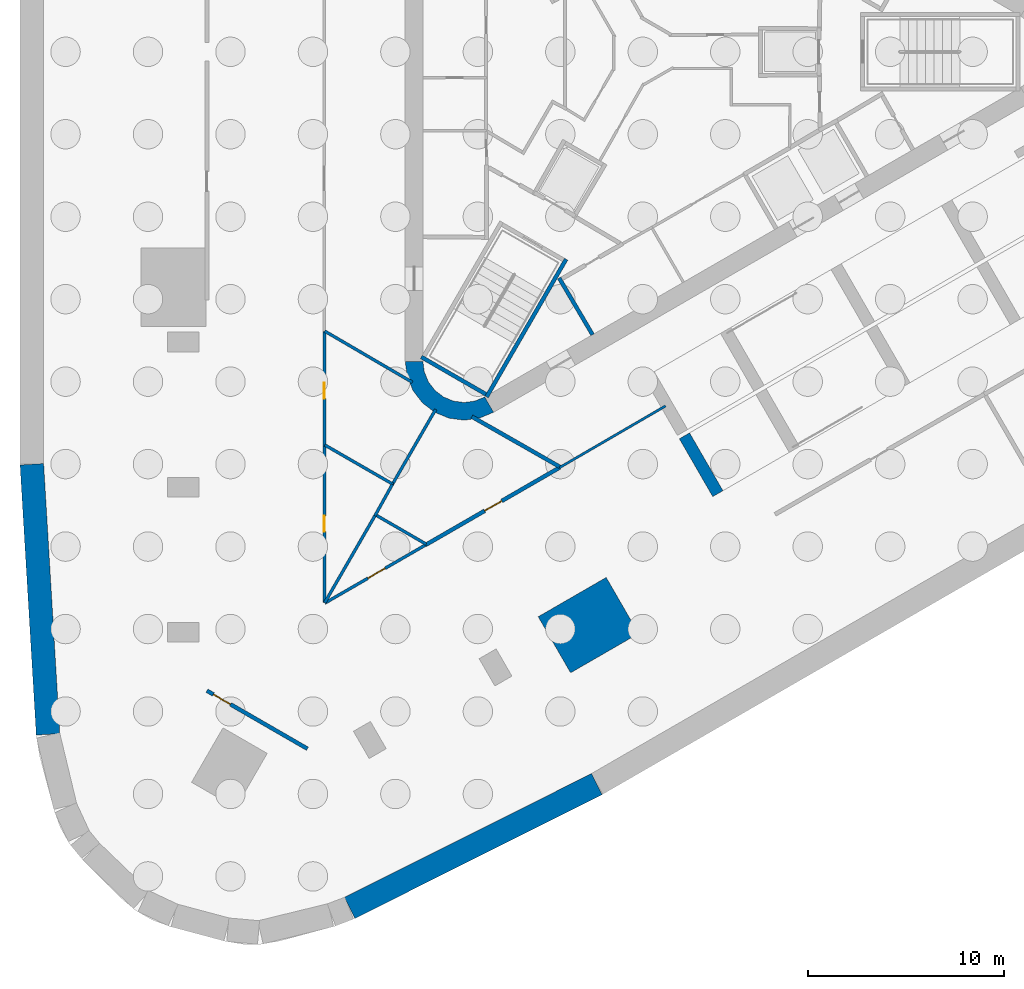
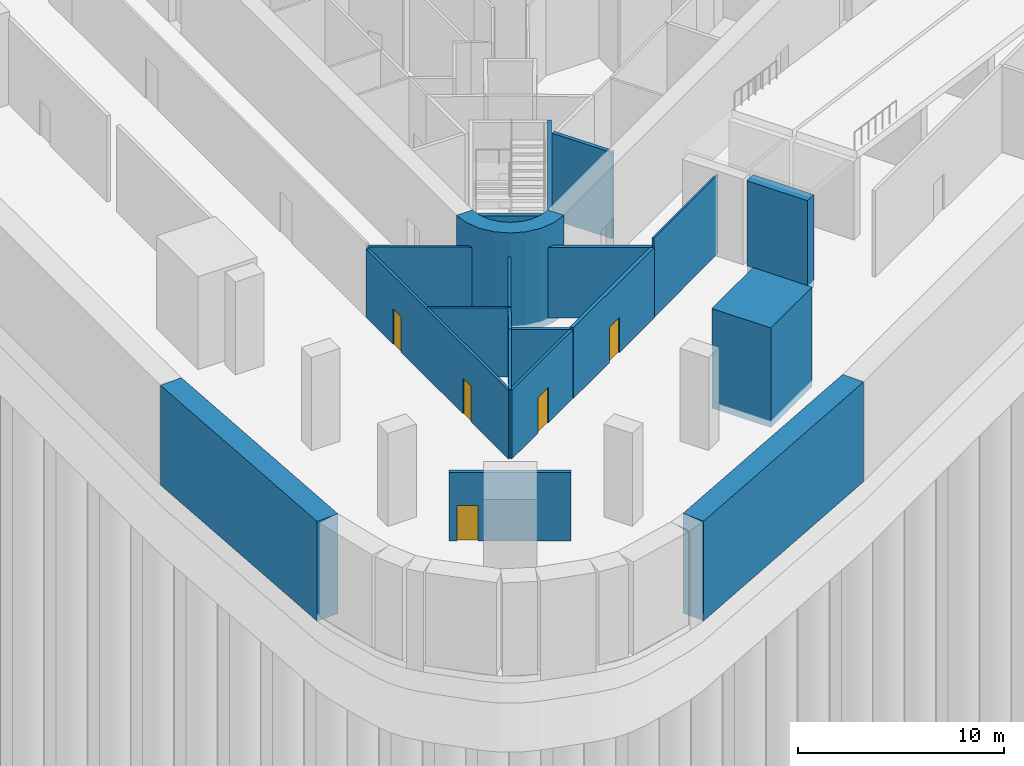
# One storey, part 3 of 13: 20 walls, 5 doors, 5 openings.
"""IFC4 building model written with IfcOpenShell, lengths in metres."""

from ifc_helpers import new_model, si_unit, direction, frame, frame_2d, origin, place, context, subcontext, project, spatial, polyline, rectangle, outline, extrude, material, layer, layer_set, type_object, element, fill, save


model = new_model("IFC4")

# Units and contexts
model_context = context("Model", 3, precision=1e-05, world=origin(), true_north=direction((0.0, 1.0)))
body_context = subcontext(model_context, "Body", "Model", "MODEL_VIEW")
ifc_project = project(units=[si_unit("LENGTHUNIT", "METRE"), si_unit("AREAUNIT", "SQUARE_METRE"), si_unit("VOLUMEUNIT", "CUBIC_METRE"), si_unit("PLANEANGLEUNIT", "RADIAN"), si_unit("MASSUNIT", "GRAM", prefix="KILO")], contexts=[model_context])

# Site, building, storey
site_placement = place(None, origin())
site = spatial("IfcSite", under=ifc_project, at=site_placement, CompositionType="ELEMENT")
building_placement = place(site_placement, origin())
building = spatial("IfcBuilding", under=site, at=building_placement, Name="Tanit Gate Tower", CompositionType="ELEMENT")
storey_placement = place(building_placement, frame((0.0, 0.0, -11.0)))
storey = spatial("IfcBuildingStorey", under=building, at=storey_placement, Name="B2", CompositionType="ELEMENT", Elevation=-11.0)

# Walls
ifc_material_1 = material(Name="Concrete C60/75", Category="concrete")
ifc_layer_1 = layer(ifc_material_1, 0.89990234375)
ifc_layer_set_1 = layer_set([ifc_layer_1], Name="CORE WALL 900 C60/75")
wall_type_1 = type_object("IfcWallType", Name="CORE WALL 900 C60/75", PredefinedType="SHEAR", material=ifc_layer_set_1)
wall_1_placement = place(storey_placement, frame((0.0, 0.0, -0.39990234375)))
element("IfcWall", 1, at=wall_1_placement, inside=storey, type_object=wall_type_1, Name="CORE WALL CORNER", PredefinedType="SHEAR", context=body_context, shape_type="SweptSolid", body=[
    extrude(outline(polyline([(-12.10009765625, -15.76171875), (-11.997802734375, -16.5380859375), (-11.697998046875, -17.26171875), (-11.22119140625, -17.883056640625), (-10.60009765625, -18.359619140625), (-9.87646484375, -18.659423828125), (-9.10009765625, -18.76171875), (-8.323486328125, -18.659423828125), (-7.60009765625, -18.359619140625), (-8.050048828125, -17.580322265625), (-8.556396484375, -17.7900390625), (-9.10009765625, -17.86181640625), (-9.6435546875, -17.7900390625), (-10.14990234375, -17.580322265625), (-10.5849609375, -17.24658203125), (-10.918701171875, -16.811767578125), (-11.12841796875, -16.30517578125), (-11.199951171875, -15.76171875), (-12.10009765625, -15.76171875)])), origin(), (0.0, 0.0, 1.0), 5.89990234375),
])
ifc_material_2 = material(Name="Concrete C35/45", Category="concrete")
ifc_layer_2 = layer(ifc_material_2, 1.199951171875)
ifc_layer_set_2 = layer_set([ifc_layer_2], Name="DIAPHRAGM WALL 1200 C35/45")
wall_type_2 = type_object("IfcWallType", Name="DIAPHRAGM WALL 1200 C35/45", PredefinedType="SHEAR", material=ifc_layer_set_2)
wall_2_placement = place(storey_placement, frame((-2.344482421875, -37.298583984375, -0.39990234375), z_axis=(0.0, 0.0, 1.0), x_axis=(-0.894066109634, -0.44793503056, 0.0)))
element("IfcWall", 2, at=wall_2_placement, inside=storey, type_object=wall_type_2, Name="DIAPHRAGM WALL", PredefinedType="SHEAR", context=body_context, shape_type="SweptSolid", body=[
    extrude(rectangle(XDim=14.074951171875, YDim=1.199951171875, at=frame_2d((7.03759765625, 0.0))), origin(), (0.0, 0.0, 1.0), 5.89990234375),
])
wall_3_placement = place(storey_placement, frame((-30.29248046875, -34.76611328125, -0.39990234375), z_axis=(0.0, 0.0, 1.0), x_axis=(-0.05979980618, 0.998210390239, 0.0)))
element("IfcWall", 3, at=wall_3_placement, inside=storey, type_object=wall_type_2, Name="DIAPHRAGM WALL", PredefinedType="SHEAR", context=body_context, shape_type="SweptSolid", body=[
    extrude(rectangle(XDim=13.782958984375, YDim=1.199951171875, at=frame_2d((6.8916015625, 0.0))), origin(), (0.0, 0.0, 1.0), 5.89990234375),
])
ifc_material_3 = material(Name="Fire-rated gypsum board partition")
ifc_layer_3 = layer(ifc_material_3, 0.199951171875)
ifc_layer_set_3 = layer_set([ifc_layer_3], Name="INT-WALL-COMPARTMENT")
wall_type_3 = type_object("IfcWallType", Name="INT-WALL-COMPARTMENT", PredefinedType="PARTITIONING", material=ifc_layer_set_3)
wall_4_placement = place(storey_placement, frame((-4.259765625, -11.523681640625, 0.0), z_axis=(0.0, 0.0, 1.0), x_axis=(0.507997497166, -0.861358544901, 0.0)))
element("IfcWall", 4, at=wall_4_placement, inside=storey, type_object=wall_type_3, Name="Wall Compartment W056", PredefinedType="PARTITIONING", context=body_context, shape_type="SweptSolid", body=[
    extrude(rectangle(XDim=3.350341796875, YDim=0.199951171875, at=frame_2d((1.67529296875, 0.0))), origin(), (0.0, 0.0, 1.0), 5.10009765625),
])

# Wall, opening, door
wall_5_placement = place(storey_placement, frame((-11.0498046875, -25.10888671875, 0.0), z_axis=(0.0, 0.0, 1.0), x_axis=(0.866021255939, 0.50000718421, 0.0)))
wall_5 = element("IfcWall", 5, at=wall_5_placement, inside=storey, type_object=wall_type_3, Name="Wall Compartment W098", PredefinedType="PARTITIONING", context=body_context, shape_type="SweptSolid", body=[
    extrude(rectangle(XDim=7.86767578125, YDim=0.199951171875, at=frame_2d((3.933837890625, 0.0))), origin(), (0.0, 0.0, 1.0), 4.179931640625),
])
opening_1_placement = place(wall_5_placement, frame((3.4619140625, 0.0, 0.0)))
opening_1 = element("IfcOpeningElement", 6, at=opening_1_placement, cuts=wall_5, Name="Opening F10-B2-36", PredefinedType="OPENING", context=body_context, shape_type="SweptSolid", body=[
    extrude(rectangle(XDim=1.0, YDim=2.10009765625, at=frame_2d((0.5, 1.050048828125))), frame((0.0, 0.10986328125, 0.0), z_axis=(0.0, -1.0, 0.0), x_axis=(1.0, 0.0, 0.0)), (0.0, 0.0, 1.0), 0.219970703125),
])
ifc_material_4 = material(Name="Fire-rated steel door leaf", Category="steel")
door_type_1 = type_object("IfcDoorType", Name="INT-DOOR-FIRE-1000", OperationType="NOTDEFINED", PredefinedType="USERDEFINED", material=ifc_material_4)
door_1_placement = place(opening_1_placement, origin())
door_1 = element("IfcDoor", 7, at=door_1_placement, inside=storey, type_object=door_type_1, Name="Door F10-B2-36", ObjectType="FIRE DOOR", OperationType="SINGLE_SWING_RIGHT", OverallHeight=2.10009765625, OverallWidth=1.0, PredefinedType="USERDEFINED", context=body_context, shape_type="SweptSolid", body=[
    extrude(rectangle(XDim=1.0, YDim=2.10009765625, at=frame_2d((0.5, 1.050048828125))), frame((0.0, 0.02490234375, 0.0), z_axis=(0.0, -1.0, 0.0), x_axis=(1.0, 0.0, 0.0)), (0.0, 0.0, 1.0), 0.050048828125),
])
fill(opening_1, door_1)

wall_6_placement = place(storey_placement, frame((-22.199951171875, -32.540771484375, 0.0), z_axis=(0.0, 0.0, 1.0), x_axis=(0.866020498397, -0.500008496284, 0.0)))
wall_6 = element("IfcWall", 8, at=wall_6_placement, inside=storey, type_object=wall_type_3, Name="Wall Compartment W103", PredefinedType="PARTITIONING", context=body_context, shape_type="SweptSolid", body=[
    extrude(rectangle(XDim=5.91064453125, YDim=0.199951171875, at=frame_2d((2.955322265625, 0.0))), origin(), (0.0, 0.0, 1.0), 4.070068359375),
])
opening_2_placement = place(wall_6_placement, frame((0.38330078125, 0.0, 0.0)))
opening_2 = element("IfcOpeningElement", 9, at=opening_2_placement, cuts=wall_6, Name="Opening F10-B2-40", PredefinedType="OPENING", context=body_context, shape_type="SweptSolid", body=[
    extrude(rectangle(XDim=1.0, YDim=2.10009765625, at=frame_2d((0.5, 1.050048828125))), frame((0.0, 0.10986328125, 0.0), z_axis=(0.0, -1.0, 0.0), x_axis=(1.0, 0.0, 0.0)), (0.0, 0.0, 1.0), 0.219970703125),
])
door_2_placement = place(opening_2_placement, origin())
door_2 = element("IfcDoor", 10, at=door_2_placement, inside=storey, type_object=door_type_1, Name="Door F10-B2-40", ObjectType="FIRE DOOR", OperationType="SINGLE_SWING_RIGHT", OverallHeight=2.10009765625, OverallWidth=1.0, PredefinedType="USERDEFINED", context=body_context, shape_type="SweptSolid", body=[
    extrude(rectangle(XDim=1.0, YDim=2.10009765625, at=frame_2d((0.5, 1.050048828125))), frame((0.0, 0.02490234375, 0.0), z_axis=(0.0, -1.0, 0.0), x_axis=(1.0, 0.0, 0.0)), (0.0, 0.0, 1.0), 0.050048828125),
])
fill(opening_2, door_2)

# Walls
wall_7_placement = place(storey_placement, frame((-8.706787109375, -18.58251953125, 0.0), z_axis=(0.0, 0.0, 1.0), x_axis=(0.868530929613, -0.495634970825, 0.0)))
element("IfcWall", 11, at=wall_7_placement, inside=storey, type_object=wall_type_3, Name="Wall Compartment W109", PredefinedType="PARTITIONING", context=body_context, shape_type="SweptSolid", body=[
    extrude(rectangle(XDim=5.165771484375, YDim=0.199951171875, at=frame_2d((2.5830078125, 0.0))), origin(), (0.0, 0.0, 1.0), 4.179931640625),
])
ifc_material_5 = material(Name="Gypsum board partition")
ifc_layer_4 = layer(ifc_material_5, 0.1201171875)
ifc_layer_set_4 = layer_set([ifc_layer_4], Name="INT-WALL-PARTITION")
wall_type_4 = type_object("IfcWallType", Name="INT-WALL-PARTITION", PredefinedType="PARTITIONING", material=ifc_layer_set_4)
wall_8_placement = place(storey_placement, frame((-4.236328125, -21.175048828125, 0.0), z_axis=(0.0, 0.0, 1.0), x_axis=(0.864433297723, 0.502747524895, 0.0)))
element("IfcWall", 12, at=wall_8_placement, inside=storey, type_object=wall_type_4, Name="Wall Partition W089", PredefinedType="PARTITIONING", context=body_context, shape_type="SweptSolid", body=[
    extrude(rectangle(XDim=6.244384765625, YDim=0.1201171875, at=frame_2d((3.1220703125, 0.0))), origin(), (0.0, 0.0, 1.0), 4.679931640625),
])

# Wall, openings, doors
ifc_material_6 = material(Name="Fire-rated gypsum board partition")
ifc_layer_5 = layer(ifc_material_6, 0.14990234375)
ifc_layer_set_5 = layer_set([ifc_layer_5], Name="INT-WALL-RISER")
wall_type_5 = type_object("IfcWallType", Name="INT-WALL-RISER", PredefinedType="PLUMBINGWALL", material=ifc_layer_set_5)
wall_9_placement = place(storey_placement, frame((-16.219970703125, -28.059326171875, 0.0), z_axis=(0.0, 0.0, 1.0), x_axis=(0.0, 1.0, 0.0)))
wall_9 = element("IfcWall", 13, at=wall_9_placement, inside=storey, type_object=wall_type_5, Name="Wall Riser W097", PredefinedType="PLUMBINGWALL", context=body_context, shape_type="SweptSolid", body=[
    extrude(rectangle(XDim=13.80322265625, YDim=0.14990234375, at=frame_2d((6.901611328125, 0.0))), origin(), (0.0, 0.0, 1.0), 4.070068359375),
])
opening_3_placement = place(wall_9_placement, frame((10.39990234375, 0.0, 0.0)))
opening_3 = element("IfcOpeningElement", 14, at=opening_3_placement, cuts=wall_9, Name="Opening R08-B2-34", PredefinedType="OPENING", context=body_context, shape_type="SweptSolid", body=[
    extrude(rectangle(XDim=0.800048828125, YDim=2.10009765625, at=frame_2d((0.39990234375, 1.050048828125))), frame((0.0, 0.0849609375, 0.0), z_axis=(0.0, -1.0, 0.0), x_axis=(1.0, 0.0, 0.0)), (0.0, 0.0, 1.0), 0.169921875),
])
opening_4_placement = place(wall_9_placement, frame((3.6171875, 0.0, 0.0)))
opening_4 = element("IfcOpeningElement", 15, at=opening_4_placement, cuts=wall_9, Name="Opening R08-B2-35", PredefinedType="OPENING", context=body_context, shape_type="SweptSolid", body=[
    extrude(rectangle(XDim=0.800048828125, YDim=2.10009765625, at=frame_2d((0.39990234375, 1.050048828125))), frame((0.0, 0.0849609375, 0.0), z_axis=(0.0, -1.0, 0.0), x_axis=(1.0, 0.0, 0.0)), (0.0, 0.0, 1.0), 0.169921875),
])
ifc_material_7 = material(Name="Timber door leaf", Category="wood")
door_type_2 = type_object("IfcDoorType", Name="INT-DOOR-RISER-800", OperationType="NOTDEFINED", PredefinedType="USERDEFINED", material=ifc_material_7)
door_3_placement = place(opening_3_placement, origin())
door_3 = element("IfcDoor", 16, at=door_3_placement, inside=storey, type_object=door_type_2, Name="Door R08-B2-34", ObjectType="FIRE DOOR", OperationType="SINGLE_SWING_LEFT", OverallHeight=2.10009765625, OverallWidth=0.800048828125, PredefinedType="USERDEFINED", context=body_context, shape_type="SweptSolid", body=[
    extrude(rectangle(XDim=0.800048828125, YDim=2.10009765625, at=frame_2d((0.39990234375, 1.050048828125))), frame((0.0, 0.02490234375, 0.0), z_axis=(0.0, -1.0, 0.0), x_axis=(1.0, 0.0, 0.0)), (0.0, 0.0, 1.0), 0.050048828125),
])
fill(opening_3, door_3)
door_4_placement = place(opening_4_placement, origin())
door_4 = element("IfcDoor", 17, at=door_4_placement, inside=storey, type_object=door_type_2, Name="Door R08-B2-35", ObjectType="FIRE DOOR", OperationType="SINGLE_SWING_RIGHT", OverallHeight=2.10009765625, OverallWidth=0.800048828125, PredefinedType="USERDEFINED", context=body_context, shape_type="SweptSolid", body=[
    extrude(rectangle(XDim=0.800048828125, YDim=2.10009765625, at=frame_2d((0.39990234375, 1.050048828125))), frame((0.0, 0.02490234375, 0.0), z_axis=(0.0, -1.0, 0.0), x_axis=(1.0, 0.0, 0.0)), (0.0, 0.0, 1.0), 0.050048828125),
])
fill(opening_4, door_4)

# Wall, opening, door
wall_10_placement = place(storey_placement, frame((-16.18994140625, -28.07666015625, 0.0), z_axis=(0.0, 0.0, 1.0), x_axis=(0.866017078145, 0.500014420154, 0.0)))
wall_10 = element("IfcWall", 18, at=wall_10_placement, inside=storey, type_object=wall_type_5, Name="Wall Riser W099", PredefinedType="PLUMBINGWALL", context=body_context, shape_type="SweptSolid", body=[
    extrude(rectangle(XDim=5.935302734375, YDim=0.14990234375, at=frame_2d((2.9677734375, 0.0))), origin(), (0.0, 0.0, 1.0), 4.070068359375),
])
opening_5_placement = place(wall_10_placement, frame((2.529541015625, 0.0, 0.0)))
opening_5 = element("IfcOpeningElement", 19, at=opening_5_placement, cuts=wall_10, Name="Opening F10-B2-37", PredefinedType="OPENING", context=body_context, shape_type="SweptSolid", body=[
    extrude(rectangle(XDim=1.0, YDim=2.10009765625, at=frame_2d((0.5, 1.050048828125))), frame((0.0, 0.0849609375, 0.0), z_axis=(0.0, -1.0, 0.0), x_axis=(1.0, 0.0, 0.0)), (0.0, 0.0, 1.0), 0.169921875),
])
door_5_placement = place(opening_5_placement, origin())
door_5 = element("IfcDoor", 20, at=door_5_placement, inside=storey, type_object=door_type_1, Name="Door F10-B2-37", ObjectType="FIRE DOOR", OperationType="SINGLE_SWING_LEFT", OverallHeight=2.10009765625, OverallWidth=1.0, PredefinedType="USERDEFINED", context=body_context, shape_type="SweptSolid", body=[
    extrude(rectangle(XDim=1.0, YDim=2.10009765625, at=frame_2d((0.5, 1.050048828125))), frame((0.0, 0.02490234375, 0.0), z_axis=(0.0, -1.0, 0.0), x_axis=(1.0, 0.0, 0.0)), (0.0, 0.0, 1.0), 0.050048828125),
])
fill(opening_5, door_5)

# Walls
wall_11_placement = place(storey_placement, frame((-16.199951171875, -14.226318359375, 0.0), z_axis=(0.0, 0.0, 1.0), x_axis=(0.863501067027, -0.504347010741, 0.0)))
element("IfcWall", 21, at=wall_11_placement, inside=storey, type_object=wall_type_5, Name="Wall Riser W111", PredefinedType="PLUMBINGWALL", context=body_context, shape_type="SweptSolid", body=[
    extrude(rectangle(XDim=5.16552734375, YDim=0.14990234375, at=frame_2d((2.582763671875, 0.0))), origin(), (0.0, 0.0, 1.0), 4.179931640625),
])
wall_12_placement = place(storey_placement, frame((-16.199951171875, -20.0234375, 0.0), z_axis=(0.0, 0.0, 1.0), x_axis=(0.866525298426, -0.499133155769, 0.0)))
element("IfcWall", 22, at=wall_12_placement, inside=storey, type_object=wall_type_5, Name="Wall Riser W117", PredefinedType="PLUMBINGWALL", context=body_context, shape_type="SweptSolid", body=[
    extrude(rectangle(XDim=4.017822265625, YDim=0.14990234375, at=frame_2d((2.0087890625, 0.0))), origin(), (0.0, 0.0, 1.0), 4.070068359375),
])
wall_13_placement = place(storey_placement, frame((-10.549072265625, -18.211669921875, 0.0), z_axis=(0.0, 0.0, 1.0), x_axis=(-0.500006121477, -0.866021869519, 0.0)))
element("IfcWall", 23, at=wall_13_placement, inside=storey, type_object=wall_type_5, Name="Wall Riser W118", PredefinedType="PLUMBINGWALL", context=body_context, shape_type="SweptSolid", body=[
    extrude(rectangle(XDim=4.42041015625, YDim=0.14990234375, at=frame_2d((2.210205078125, 0.0))), origin(), (0.0, 0.0, 1.0), 4.070068359375),
])
wall_14_placement = place(storey_placement, frame((-12.75927734375, -22.039794921875, 0.0), z_axis=(0.0, 0.0, 1.0), x_axis=(-0.485722500315, -0.874113066306, 0.0)))
element("IfcWall", 24, at=wall_14_placement, inside=storey, type_object=wall_type_5, Name="Wall Riser W119", PredefinedType="PLUMBINGWALL", context=body_context, shape_type="SweptSolid", body=[
    extrude(rectangle(XDim=1.823486328125, YDim=0.14990234375, at=frame_2d((0.91162109375, 0.0))), origin(), (0.0, 0.0, 1.0), 4.070068359375),
])
wall_15_placement = place(storey_placement, frame((-16.199951171875, -28.059326171875, 0.0), z_axis=(0.0, 0.0, 1.0), x_axis=(0.49999374744, 0.866029013672, 0.0)))
element("IfcWall", 25, at=wall_15_placement, inside=storey, type_object=wall_type_5, Name="Wall Riser W120", PredefinedType="PLUMBINGWALL", context=body_context, shape_type="SweptSolid", body=[
    extrude(rectangle(XDim=5.2451171875, YDim=0.14990234375, at=frame_2d((2.62255859375, 0.0))), origin(), (0.0, 0.0, 1.0), 4.070068359375),
])
wall_16_placement = place(storey_placement, frame((-13.550048828125, -23.619384765625, 0.0), z_axis=(0.0, 0.0, 1.0), x_axis=(0.865340043372, -0.501185204627, 0.0)))
element("IfcWall", 26, at=wall_16_placement, inside=storey, type_object=wall_type_5, Name="Wall Riser W121", PredefinedType="PLUMBINGWALL", context=body_context, shape_type="SweptSolid", body=[
    extrude(rectangle(XDim=2.90771484375, YDim=0.14990234375, at=frame_2d((1.453857421875, 0.0))), origin(), (0.0, 0.0, 1.0), 4.070068359375),
])
ifc_material_8 = material(Name="Concrete C40/50", Category="concrete")
ifc_layer_6 = layer(ifc_material_8, 0.199951171875)
ifc_layer_set_6 = layer_set([ifc_layer_6], Name="INT-WALL-STAIR")
wall_type_6 = type_object("IfcWallType", Name="INT-WALL-STAIR", PredefinedType="SHEAR", material=ifc_layer_set_6)
wall_17_placement = place(storey_placement, frame((-3.904541015625, -10.56298828125, -0.39990234375), z_axis=(0.0, 0.0, 1.0), x_axis=(-0.500012932018, -0.866017937352, 0.0)))
element("IfcWall", 27, at=wall_17_placement, inside=storey, type_object=wall_type_6, Name="Wall Stair W024", PredefinedType="SHEAR", context=body_context, shape_type="SweptSolid", body=[
    extrude(rectangle(XDim=8.099853515625, YDim=0.199951171875, at=frame_2d((4.0498046875, 0.0))), origin(), (0.0, 0.0, 1.0), 5.5),
])
wall_18_placement = place(storey_placement, frame((-11.281982421875, -15.541015625, -0.39990234375), z_axis=(0.0, 0.0, 1.0), x_axis=(0.866000483506, -0.500043160704, 0.0)))
element("IfcWall", 28, at=wall_18_placement, inside=storey, type_object=wall_type_6, Name="Wall Stair W025", PredefinedType="SHEAR", context=body_context, shape_type="SweptSolid", body=[
    extrude(rectangle(XDim=3.800048828125, YDim=0.199951171875, at=frame_2d((1.89990234375, 0.0))), origin(), (0.0, 0.0, 1.0), 5.5),
])
ifc_material_9 = material(Name="Concrete C60/75", Category="concrete")
ifc_layer_7 = layer(ifc_material_9, 4.0)
ifc_layer_set_7 = layer_set([ifc_layer_7], Name="PIER WALL 4000 C60/75")
wall_type_7 = type_object("IfcWallType", Name="PIER WALL 4000 C60/75", PredefinedType="SHEAR", material=ifc_layer_set_7)
wall_19_placement = place(storey_placement, frame((0.0, 0.0, -0.39990234375)))
element("IfcWall", 29, at=wall_19_placement, inside=storey, type_object=wall_type_7, Name="PIER WALL", PredefinedType="SHEAR", context=body_context, shape_type="SweptSolid", body=[
    extrude(outline(polyline([(-3.677734375, -31.6298828125), (-0.213623046875, -29.6298828125), (-1.86376953125, -26.77197265625), (-5.327880859375, -28.77197265625), (-3.677734375, -31.6298828125)])), origin(), (0.0, 0.0, 1.0), 5.89990234375),
])
ifc_material_10 = material(Name="Concrete C40/50", Category="concrete")
ifc_layer_8 = layer(ifc_material_10, 0.60009765625)
ifc_layer_set_8 = layer_set([ifc_layer_8], Name="RAMP SUPPORT WALL 600 C40/50")
wall_type_8 = type_object("IfcWallType", Name="RAMP SUPPORT WALL 600 C40/50", PredefinedType="STANDARD", material=ifc_layer_set_8)
wall_20_placement = place(storey_placement, frame((2.1220703125, -19.559326171875, -0.39990234375), z_axis=(0.0, 0.0, 1.0), x_axis=(0.499977295307, -0.866038511948, 0.0)))
element("IfcWall", 30, at=wall_20_placement, inside=storey, type_object=wall_type_8, Name="RAMP SUPPORT WALL", PredefinedType="STANDARD", context=body_context, shape_type="SweptSolid", body=[
    extrude(rectangle(XDim=3.400146484375, YDim=0.60009765625, at=frame_2d((1.7001953125, 0.0))), origin(), (0.0, 0.0, 1.0), 5.449951171875),
])

save(model, "model.ifc")
